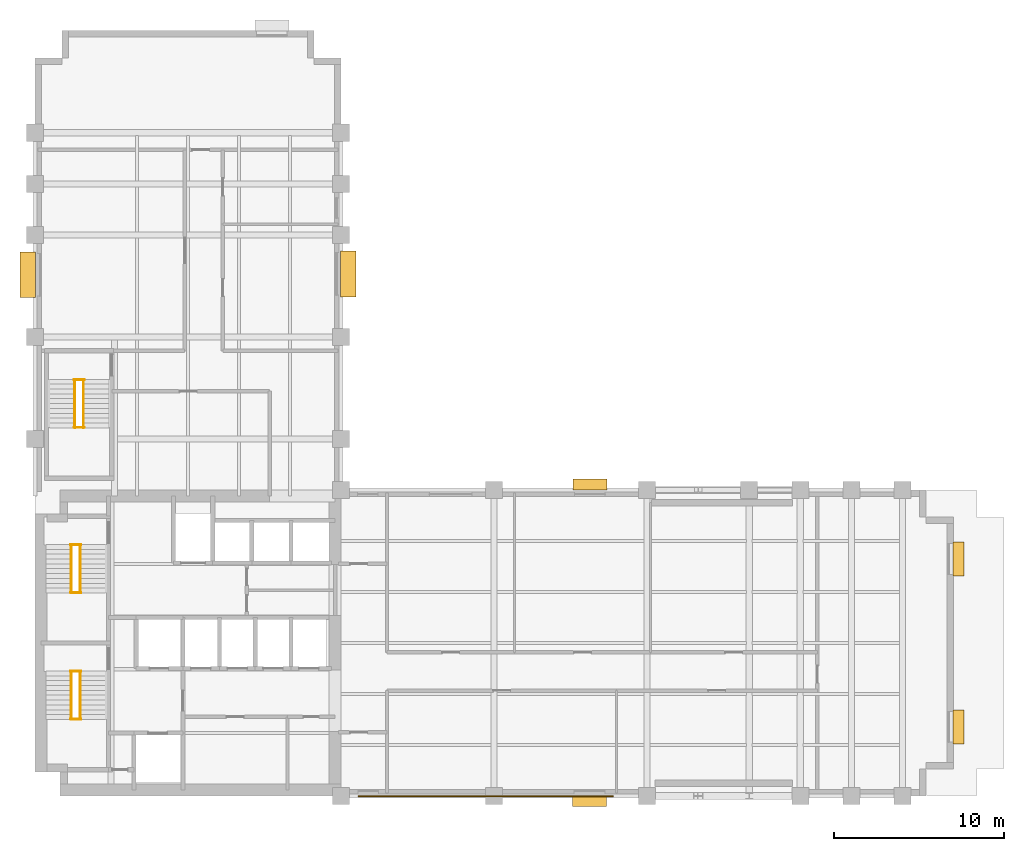
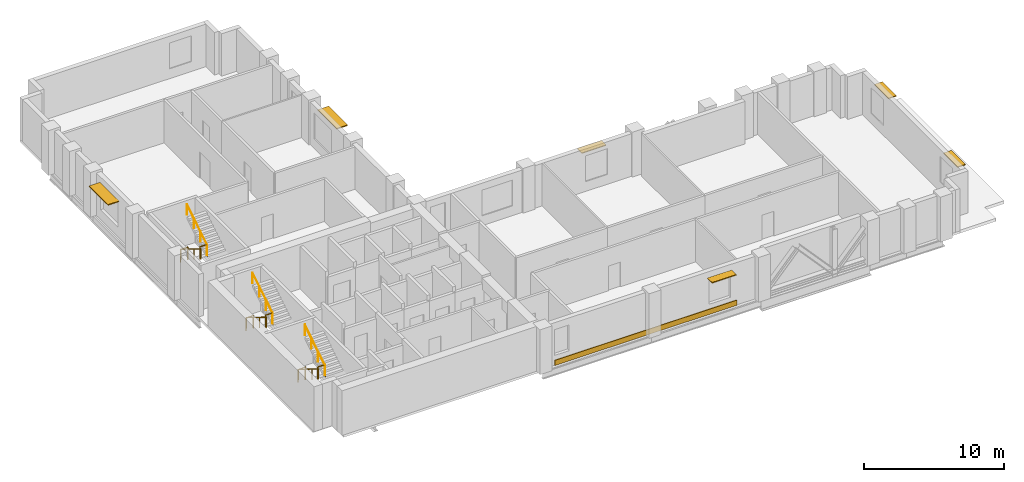
# One storey, part 6 of 7: 12 railings, 6 shading devices, 1 covering.
"""IFC4 building model written with IfcOpenShell, lengths in metres."""

from ifc_helpers import new_model, si_unit, direction, frame, origin, origin_2d, place, context, subcontext, project, spatial, polyline, rectangle, circle, outline, extrude, material, layer, layer_set, type_object, element, save


model = new_model("IFC4")

# Units and contexts
model_context = context("Model", 3, precision=1e-05, world=origin(), true_north=direction((0.0, 1.0)))
body_context = subcontext(model_context, "Body", "Model", "MODEL_VIEW")
ifc_project = project(units=[si_unit("LENGTHUNIT", "METRE"), si_unit("AREAUNIT", "SQUARE_METRE"), si_unit("VOLUMEUNIT", "CUBIC_METRE"), si_unit("PLANEANGLEUNIT", "RADIAN"), si_unit("MASSUNIT", "GRAM", prefix="KILO")], contexts=[model_context])

# Site, building, storey
site_placement = place(None, origin())
site = spatial("IfcSite", under=ifc_project, at=site_placement, CompositionType="ELEMENT")
building_placement = place(site_placement, origin())
building = spatial("IfcBuilding", under=site, at=building_placement, Name="Mawjdan Bourse Tower", CompositionType="ELEMENT")
storey_placement = place(building_placement, frame((0.0, 0.0, 128.39990234375)))
storey = spatial("IfcBuildingStorey", under=building, at=storey_placement, Name="L30", CompositionType="ELEMENT", Elevation=128.39990234375)

# Covering
ifc_material_1 = material(Name="Honed Qatari Limestone Coping", Category="masonry")
ifc_layer_1 = layer(ifc_material_1, 0.054931640625)
ifc_layer_set_1 = layer_set([ifc_layer_1], Name="Honed Qatari Limestone Coping")
covering_type = type_object("IfcCoveringType", Name="COV-CLD-SPN", PredefinedType="CLADDING", material=ifc_layer_set_1)
covering_placement = place(storey_placement, origin())
element("IfcCovering", 1, at=covering_placement, inside=storey, type_object=covering_type, Name="L30 Limestone Spandrel Coping Trim", PredefinedType="CLADDING", context=body_context, shape_type="SweptSolid", body=[
    extrude(outline(polyline([(25.0, 2.949951171875), (40.0, 2.949951171875), (40.0, 3.010009765625), (25.0, 3.010009765625), (25.0, 2.949951171875)])), origin(), (0.0, 0.0, 1.0), 0.4501953125),
])

# Railings
ifc_material_2 = material(Name="Structural Steel S355", Category="steel")
railing_type_1 = type_object("IfcRailingType", Name="RLG-GRD-1100", PredefinedType="GUARDRAIL", material=ifc_material_2)
for number, where, name in (
    (2, (8.090087890625, 7.52001953125, 1.9501953125), "L30 ST1 Landing Guardrail GL-MID"),
    (3, (8.090087890625, 10.330078125, 0.0), "L30 ST1 Landing Guardrail GL-BOT"),
    (4, (8.090087890625, 14.9599609375, 1.9501953125), "L30 ST2 Landing Guardrail GL-MID"),
    (5, (8.090087890625, 17.77001953125, 0.0), "L30 ST2 Landing Guardrail GL-BOT"),
    (6, (8.2900390625, 24.669921875, 1.9501953125), "L30 ST3 Landing Guardrail GL-MID"),
    (7, (8.2900390625, 27.47998046875, 0.0), "L30 ST3 Landing Guardrail GL-BOT"),
):
    element("IfcRailing", number, at=place(storey_placement, frame(where)), inside=storey, type_object=railing_type_1, Name=name, PredefinedType="GUARDRAIL", context=body_context, shape_type="SweptSolid", body=[
        extrude(circle(Radius=0.02490234375, at=origin_2d()), frame((0.0, 0.0, 1.0751953125), z_axis=(1.0, 0.0, 0.0), x_axis=(0.0, 1.0, 0.0)), (0.0, 0.0, 1.0), 0.619873046875),
        extrude(circle(Radius=0.02099609375, at=origin_2d()), origin(), (0.0, 0.0, 1.0), 1.050048828125),
        extrude(circle(Radius=0.02099609375, at=origin_2d()), frame((0.619873046875, 0.0, 0.0)), (0.0, 0.0, 1.0), 1.050048828125),
    ])
ifc_material_3 = material(Name="Brushed Stainless Steel", Category="steel")
railing_type_2 = type_object("IfcRailingType", Name="RLG-HND-920", PredefinedType="HANDRAIL", material=ifc_material_3)
railing_1_placement = place(storey_placement, frame((8.139892578125, 10.35009765625, 0.177490234375)))
element("IfcRailing", 8, at=railing_1_placement, inside=storey, type_object=railing_type_2, Name="L30 ST1 Flight Handrail HR1", PredefinedType="HANDRAIL", context=body_context, shape_type="SweptSolid", body=[
    extrude(circle(Radius=0.0224609375, at=origin_2d()), frame((0.0, 0.0, 0.8974609375), z_axis=(0.0, -0.849148672731, 0.528153890072), x_axis=(1.0, 0.0, 0.0)), (0.0, 0.0, 1.0), 3.3564453125),
    extrude(circle(Radius=0.01904296875, at=origin_2d()), origin(), (0.0, 0.0, 1.0), 0.875),
    extrude(circle(Radius=0.01904296875, at=origin_2d()), frame((0.0, -0.949951171875, 0.5908203125)), (0.0, 0.0, 1.0), 0.875),
    extrude(circle(Radius=0.01904296875, at=origin_2d()), frame((0.0, -1.900146484375, 1.181884765625)), (0.0, 0.0, 1.0), 0.875),
    extrude(circle(Radius=0.01904296875, at=origin_2d()), frame((0.0, -2.85009765625, 1.772705078125)), (0.0, 0.0, 1.0), 0.875),
])
railing_2_placement = place(storey_placement, frame((8.659912109375, 7.5, 2.12744140625)))
element("IfcRailing", 9, at=railing_2_placement, inside=storey, type_object=railing_type_2, Name="L30 ST1 Flight Handrail HR2", PredefinedType="HANDRAIL", context=body_context, shape_type="SweptSolid", body=[
    extrude(circle(Radius=0.0224609375, at=origin_2d()), frame((0.0, 0.0, 0.8974609375), z_axis=(0.0, 0.849148672731, 0.528153890072), x_axis=(-1.0, 0.0, 0.0)), (0.0, 0.0, 1.0), 3.3564453125),
    extrude(circle(Radius=0.01904296875, at=origin_2d()), origin(), (0.0, 0.0, 1.0), 0.875),
    extrude(circle(Radius=0.01904296875, at=origin_2d()), frame((0.0, 0.949951171875, 0.5908203125)), (0.0, 0.0, 1.0), 0.875),
    extrude(circle(Radius=0.01904296875, at=origin_2d()), frame((0.0, 1.900146484375, 1.181884765625)), (0.0, 0.0, 1.0), 0.875),
    extrude(circle(Radius=0.01904296875, at=origin_2d()), frame((0.0, 2.85009765625, 1.772705078125)), (0.0, 0.0, 1.0), 0.875),
])
railing_3_placement = place(storey_placement, frame((8.139892578125, 17.7900390625, 0.177490234375)))
element("IfcRailing", 10, at=railing_3_placement, inside=storey, type_object=railing_type_2, Name="L30 ST2 Flight Handrail HR1", PredefinedType="HANDRAIL", context=body_context, shape_type="SweptSolid", body=[
    extrude(circle(Radius=0.0224609375, at=origin_2d()), frame((0.0, 0.0, 0.8974609375), z_axis=(0.0, -0.849148672731, 0.528153890072), x_axis=(1.0, 0.0, 0.0)), (0.0, 0.0, 1.0), 3.3564453125),
    extrude(circle(Radius=0.01904296875, at=origin_2d()), origin(), (0.0, 0.0, 1.0), 0.875),
    extrude(circle(Radius=0.01904296875, at=origin_2d()), frame((0.0, -0.949951171875, 0.5908203125)), (0.0, 0.0, 1.0), 0.875),
    extrude(circle(Radius=0.01904296875, at=origin_2d()), frame((0.0, -1.900146484375, 1.181884765625)), (0.0, 0.0, 1.0), 0.875),
    extrude(circle(Radius=0.01904296875, at=origin_2d()), frame((0.0, -2.85009765625, 1.772705078125)), (0.0, 0.0, 1.0), 0.875),
])
railing_4_placement = place(storey_placement, frame((8.659912109375, 14.93994140625, 2.12744140625)))
element("IfcRailing", 11, at=railing_4_placement, inside=storey, type_object=railing_type_2, Name="L30 ST2 Flight Handrail HR2", PredefinedType="HANDRAIL", context=body_context, shape_type="SweptSolid", body=[
    extrude(circle(Radius=0.0224609375, at=origin_2d()), frame((0.0, 0.0, 0.8974609375), z_axis=(0.0, 0.849148672731, 0.528153890072), x_axis=(-1.0, 0.0, 0.0)), (0.0, 0.0, 1.0), 3.3564453125),
    extrude(circle(Radius=0.01904296875, at=origin_2d()), origin(), (0.0, 0.0, 1.0), 0.875),
    extrude(circle(Radius=0.01904296875, at=origin_2d()), frame((0.0, 0.949951171875, 0.5908203125)), (0.0, 0.0, 1.0), 0.875),
    extrude(circle(Radius=0.01904296875, at=origin_2d()), frame((0.0, 1.900146484375, 1.181884765625)), (0.0, 0.0, 1.0), 0.875),
    extrude(circle(Radius=0.01904296875, at=origin_2d()), frame((0.0, 2.85009765625, 1.772705078125)), (0.0, 0.0, 1.0), 0.875),
])
railing_5_placement = place(storey_placement, frame((8.340087890625, 27.5, 0.177490234375)))
element("IfcRailing", 12, at=railing_5_placement, inside=storey, type_object=railing_type_2, Name="L30 ST3 Flight Handrail HR1", PredefinedType="HANDRAIL", context=body_context, shape_type="SweptSolid", body=[
    extrude(circle(Radius=0.0224609375, at=origin_2d()), frame((0.0, 0.0, 0.8974609375), z_axis=(0.0, -0.849148672731, 0.528153890072), x_axis=(1.0, 0.0, 0.0)), (0.0, 0.0, 1.0), 3.3564453125),
    extrude(circle(Radius=0.01904296875, at=origin_2d()), origin(), (0.0, 0.0, 1.0), 0.875),
    extrude(circle(Radius=0.01904296875, at=origin_2d()), frame((0.0, -0.949951171875, 0.5908203125)), (0.0, 0.0, 1.0), 0.875),
    extrude(circle(Radius=0.01904296875, at=origin_2d()), frame((0.0, -1.900146484375, 1.181884765625)), (0.0, 0.0, 1.0), 0.875),
    extrude(circle(Radius=0.01904296875, at=origin_2d()), frame((0.0, -2.85009765625, 1.772705078125)), (0.0, 0.0, 1.0), 0.875),
])
railing_6_placement = place(storey_placement, frame((8.860107421875, 24.64990234375, 2.12744140625)))
element("IfcRailing", 13, at=railing_6_placement, inside=storey, type_object=railing_type_2, Name="L30 ST3 Flight Handrail HR2", PredefinedType="HANDRAIL", context=body_context, shape_type="SweptSolid", body=[
    extrude(circle(Radius=0.0224609375, at=origin_2d()), frame((0.0, 0.0, 0.8974609375), z_axis=(0.0, 0.849148672731, 0.528153890072), x_axis=(-1.0, 0.0, 0.0)), (0.0, 0.0, 1.0), 3.3564453125),
    extrude(circle(Radius=0.01904296875, at=origin_2d()), origin(), (0.0, 0.0, 1.0), 0.875),
    extrude(circle(Radius=0.01904296875, at=origin_2d()), frame((0.0, 0.949951171875, 0.5908203125)), (0.0, 0.0, 1.0), 0.875),
    extrude(circle(Radius=0.01904296875, at=origin_2d()), frame((0.0, 1.900146484375, 1.181884765625)), (0.0, 0.0, 1.0), 0.875),
    extrude(circle(Radius=0.01904296875, at=origin_2d()), frame((0.0, 2.85009765625, 1.772705078125)), (0.0, 0.0, 1.0), 0.875),
])

# Shading devices
ifc_material_4 = material(Name="Bronze Anodised Aluminium", Category="aluminium")
ifc_layer_2 = layer(ifc_material_4, 0.074951171875)
ifc_layer_set_2 = layer_set([ifc_layer_2], Name="Bronze Anodised Aluminium")
shading_device_type_1 = type_object("IfcShadingDeviceType", Name="SHD-SUN-650", PredefinedType="USERDEFINED", material=ifc_layer_set_2)
for number, where, z_axis, x_axis, name in (
    (14, (38.6083984375, 2.695068359375, 3.10009765625), (0.0, 0.0, 1.0), (1.0, 0.0, 0.0), "L30 Solar Window Hood 01"),
    (15, (60.304931640625, 7.066650390625, 3.10009765625), (0.0, 0.0, 1.0), (0.0, 1.0, 0.0), "L30 Solar Window Hood 02"),
    (16, (60.304931640625, 16.933349609375, 3.10009765625), (0.0, 0.0, 1.0), (0.0, 1.0, 0.0), "L30 Solar Window Hood 03"),
    (17, (38.625, 21.304931640625, 3.10009765625), (0.0, 0.0, 1.0), (-1.0, 0.0, 0.0), "L30 Solar Window Hood 04"),
):
    element("IfcShadingDevice", number, at=place(storey_placement, frame(where, z_axis=z_axis, x_axis=x_axis)), inside=storey, type_object=shading_device_type_1, Name=name, ObjectType="SUNSHADE", PredefinedType="USERDEFINED", context=body_context, shape_type="SweptSolid", body=[
        extrude(rectangle(XDim=2.0, YDim=0.64990234375, at=origin_2d()), origin(), (0.0, 0.0, 1.0), 0.074951171875),
    ])
ifc_layer_3 = layer(ifc_material_4, 0.0849609375)
ifc_layer_set_3 = layer_set([ifc_layer_3], Name="Bronze Anodised Aluminium")
shading_device_type_2 = type_object("IfcShadingDeviceType", Name="SHD-SUN-900", PredefinedType="USERDEFINED", material=ifc_layer_set_3)
for number, where, z_axis, x_axis, name in (
    (18, (24.429931640625, 33.699951171875, 3.10009765625), (0.0, 0.0, 1.0), (0.0, 1.0, 0.0), "L30 Solar Window Hood 05"),
    (19, (5.570068359375, 33.64990234375, 3.10009765625), (0.0, 0.0, 1.0), (0.0, -1.0, 0.0), "L30 Solar Window Hood 07"),
):
    element("IfcShadingDevice", number, at=place(storey_placement, frame(where, z_axis=z_axis, x_axis=x_axis)), inside=storey, type_object=shading_device_type_2, Name=name, ObjectType="SUNSHADE", PredefinedType="USERDEFINED", context=body_context, shape_type="SweptSolid", body=[
        extrude(rectangle(XDim=2.699951171875, YDim=0.89990234375, at=origin_2d()), origin(), (0.0, 0.0, 1.0), 0.0849609375),
    ])

save(model, "model.ifc")
